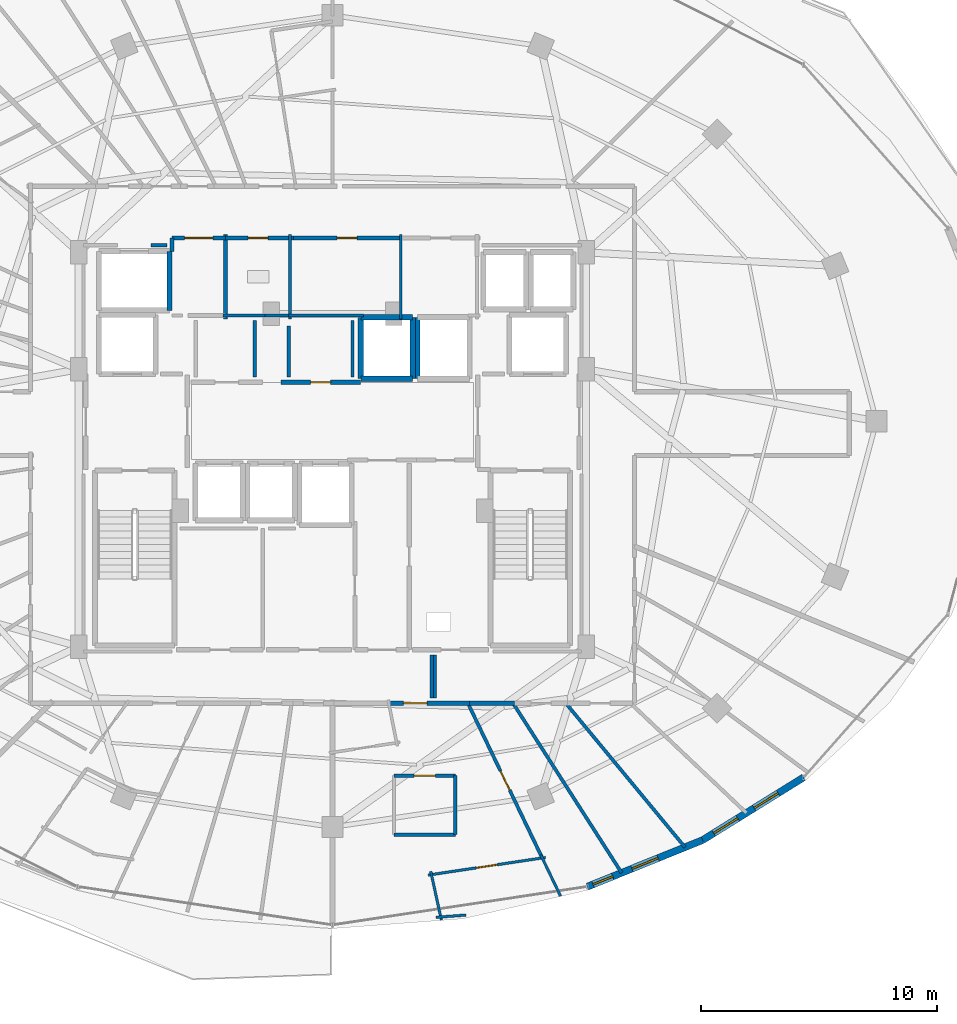
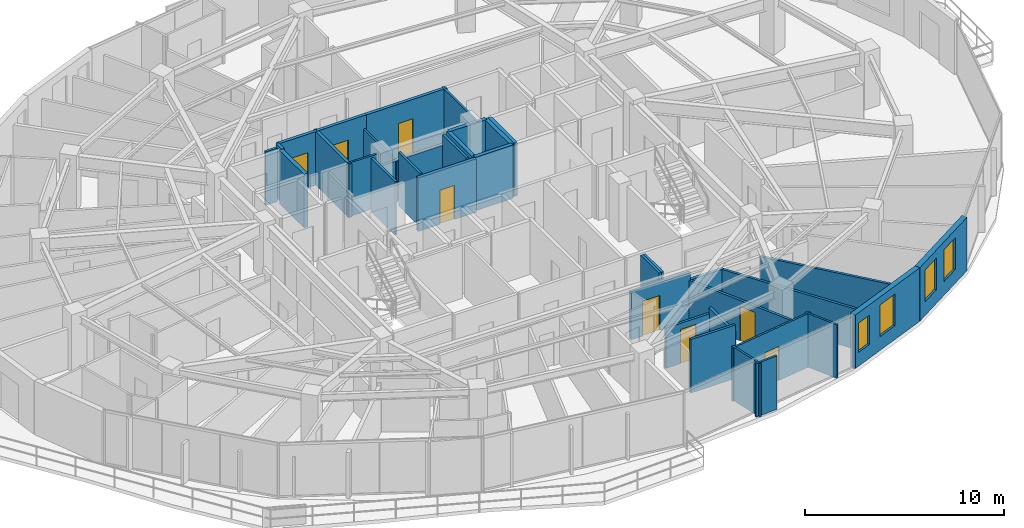
# One storey, part 27 of 33: 37 walls, 8 doors, 4 windows, 12 openings.
"""IFC4 building model written with IfcOpenShell, lengths in metres."""

from ifc_helpers import new_model, si_unit, direction, frame, frame_2d, origin, place, context, subcontext, project, spatial, rectangle, extrude, material, layer, layer_set, type_object, element, fill, save


model = new_model("IFC4")

# Units and contexts
model_context = context("Model", 3, precision=1e-05, world=origin(), true_north=direction((0.0, 1.0)))
body_context = subcontext(model_context, "Body", "Model", "MODEL_VIEW")
ifc_project = project(units=[si_unit("LENGTHUNIT", "METRE"), si_unit("AREAUNIT", "SQUARE_METRE"), si_unit("VOLUMEUNIT", "CUBIC_METRE"), si_unit("PLANEANGLEUNIT", "RADIAN"), si_unit("MASSUNIT", "GRAM", prefix="KILO")], contexts=[model_context])

# Site, building, storey
site_placement = place(None, origin())
site = spatial("IfcSite", under=ifc_project, at=site_placement, CompositionType="ELEMENT")
building_placement = place(site_placement, origin())
building = spatial("IfcBuilding", under=site, at=building_placement, Name="Vorneva Point Tower", CompositionType="ELEMENT")
storey_placement = place(building_placement, frame((0.0, 0.0, 200.10009765625)))
storey = spatial("IfcBuildingStorey", under=building, at=storey_placement, Name="L54", CompositionType="ELEMENT", Elevation=200.10009765625)

# Wall, openings, windows
ifc_material_1 = material(Name="Precast concrete B50 (C40/50)", Category="concrete")
ifc_layer_1 = layer(ifc_material_1, 0.300048828125)
ifc_layer_set_1 = layer_set([ifc_layer_1], Name="Precast concrete B50 (C40/50)")
wall_type_1 = type_object("IfcWallType", Name="WL-EXT-300", PredefinedType="STANDARD", material=ifc_layer_set_1)
wall_1_placement = place(storey_placement, frame((48.80322265625, 6.275146484375, 0.0), z_axis=(0.0, 0.0, 1.0), x_axis=(0.927111094334, 0.374786630981, 0.0)))
wall_1 = element("IfcWall", 1, at=wall_1_placement, inside=storey, type_object=wall_type_1, Name="L54 Pale-Metal Facade Spandrel Wall 14.1", PredefinedType="STANDARD", context=body_context, shape_type="SweptSolid", body=[
    extrude(rectangle(XDim=5.26416015625, YDim=0.300048828125, at=frame_2d((2.632080078125, 0.0))), origin(), (0.0, 0.0, 1.0), 3.289794921875),
])
opening_1_placement = place(wall_1_placement, frame((0.25830078125, 0.0, 0.85009765625)))
opening_1 = element("IfcOpeningElement", 2, at=opening_1_placement, cuts=wall_1, Name="Opening W-08", PredefinedType="OPENING", context=body_context, shape_type="SweptSolid", body=[
    extrude(rectangle(XDim=0.89990234375, YDim=1.800048828125, at=frame_2d((0.449951171875, 0.89990234375))), frame((0.0, 0.1650390625, 0.0), z_axis=(0.0, -1.0, 0.0), x_axis=(1.0, 0.0, 0.0)), (0.0, 0.0, 1.0), 0.329833984375),
])
opening_2_placement = place(wall_1_placement, frame((2.031982421875, 0.0, 0.85009765625)))
opening_2 = element("IfcOpeningElement", 3, at=opening_2_placement, cuts=wall_1, Name="Opening W-04", PredefinedType="OPENING", context=body_context, shape_type="SweptSolid", body=[
    extrude(rectangle(XDim=1.199951171875, YDim=1.949951171875, at=frame_2d((0.60009765625, 0.97509765625))), frame((0.0, 0.1650390625, 0.0), z_axis=(0.0, -1.0, 0.0), x_axis=(1.0, 0.0, 0.0)), (0.0, 0.0, 1.0), 0.329833984375),
])
ifc_material_2 = material(Name="Double low-e laminated glass IGU", Category="glass")
window_type_1 = type_object("IfcWindowType", Name="WN-CAS-900", PartitioningType="SINGLE_PANEL", PredefinedType="WINDOW", material=ifc_material_2)
window_1_placement = place(opening_1_placement, origin())
window_1 = element("IfcWindow", 4, at=window_1_placement, inside=storey, type_object=window_type_1, Name="L54 Dwelling Vision Window 04", OverallHeight=1.800048828125, OverallWidth=0.89990234375, PartitioningType="SINGLE_PANEL", PredefinedType="WINDOW", context=body_context, shape_type="SweptSolid", body=[
    extrude(rectangle(XDim=0.89990234375, YDim=1.800048828125, at=frame_2d((0.449951171875, 0.89990234375))), frame((0.0, 0.030029296875, 0.0), z_axis=(0.0, -1.0, 0.0), x_axis=(1.0, 0.0, 0.0)), (0.0, 0.0, 1.0), 0.06005859375),
])
fill(opening_1, window_1)
window_type_2 = type_object("IfcWindowType", Name="WN-RES-1200", PartitioningType="SINGLE_PANEL", PredefinedType="WINDOW", material=ifc_material_2)
window_2_placement = place(opening_2_placement, origin())
window_2 = element("IfcWindow", 5, at=window_2_placement, inside=storey, type_object=window_type_2, Name="L54 Dwelling Vision Window 05", OverallHeight=1.949951171875, OverallWidth=1.199951171875, PartitioningType="SINGLE_PANEL", PredefinedType="WINDOW", context=body_context, shape_type="SweptSolid", body=[
    extrude(rectangle(XDim=1.199951171875, YDim=1.949951171875, at=frame_2d((0.60009765625, 0.97509765625))), frame((0.0, 0.030029296875, 0.0), z_axis=(0.0, -1.0, 0.0), x_axis=(1.0, 0.0, 0.0)), (0.0, 0.0, 1.0), 0.06005859375),
])
fill(opening_2, window_2)

wall_2_placement = place(storey_placement, frame((53.68359375, 8.248046875, 0.0), z_axis=(0.0, 0.0, 1.0), x_axis=(0.849647657754, 0.527350791858, 0.0)))
wall_2 = element("IfcWall", 6, at=wall_2_placement, inside=storey, type_object=wall_type_1, Name="L54 Pale-Metal Facade Spandrel Wall 14.2", PredefinedType="STANDARD", context=body_context, shape_type="SweptSolid", body=[
    extrude(rectangle(XDim=5.03515625, YDim=0.300048828125, at=frame_2d((2.517578125, 0.0))), origin(), (0.0, 0.0, 1.0), 3.289794921875),
])
opening_3_placement = place(wall_2_placement, frame((0.5546875, 0.0, 0.85009765625)))
opening_3 = element("IfcOpeningElement", 7, at=opening_3_placement, cuts=wall_2, Name="Opening W-04", PredefinedType="OPENING", context=body_context, shape_type="SweptSolid", body=[
    extrude(rectangle(XDim=1.199951171875, YDim=1.949951171875, at=frame_2d((0.60009765625, 0.97509765625))), frame((0.0, 0.1650390625, 0.0), z_axis=(0.0, -1.0, 0.0), x_axis=(1.0, 0.0, 0.0)), (0.0, 0.0, 1.0), 0.329833984375),
])
opening_4_placement = place(wall_2_placement, frame((2.569091796875, 0.0, 0.85009765625)))
opening_4 = element("IfcOpeningElement", 8, at=opening_4_placement, cuts=wall_2, Name="Opening W-04", PredefinedType="OPENING", context=body_context, shape_type="SweptSolid", body=[
    extrude(rectangle(XDim=1.199951171875, YDim=1.949951171875, at=frame_2d((0.60009765625, 0.97509765625))), frame((0.0, 0.1650390625, 0.0), z_axis=(0.0, -1.0, 0.0), x_axis=(1.0, 0.0, 0.0)), (0.0, 0.0, 1.0), 0.329833984375),
])
window_3_placement = place(opening_3_placement, origin())
window_3 = element("IfcWindow", 9, at=window_3_placement, inside=storey, type_object=window_type_2, Name="L54 Dwelling Vision Window 06", OverallHeight=1.949951171875, OverallWidth=1.199951171875, PartitioningType="SINGLE_PANEL", PredefinedType="WINDOW", context=body_context, shape_type="SweptSolid", body=[
    extrude(rectangle(XDim=1.199951171875, YDim=1.949951171875, at=frame_2d((0.60009765625, 0.97509765625))), frame((0.0, 0.030029296875, 0.0), z_axis=(0.0, -1.0, 0.0), x_axis=(1.0, 0.0, 0.0)), (0.0, 0.0, 1.0), 0.06005859375),
])
fill(opening_3, window_3)
window_4_placement = place(opening_4_placement, origin())
window_4 = element("IfcWindow", 10, at=window_4_placement, inside=storey, type_object=window_type_2, Name="L54 Dwelling Vision Window 07", OverallHeight=1.949951171875, OverallWidth=1.199951171875, PartitioningType="SINGLE_PANEL", PredefinedType="WINDOW", context=body_context, shape_type="SweptSolid", body=[
    extrude(rectangle(XDim=1.199951171875, YDim=1.949951171875, at=frame_2d((0.60009765625, 0.97509765625))), frame((0.0, 0.030029296875, 0.0), z_axis=(0.0, -1.0, 0.0), x_axis=(1.0, 0.0, 0.0)), (0.0, 0.0, 1.0), 0.06005859375),
])
fill(opening_4, window_4)

# Walls
ifc_material_3 = material(Name="Fire-rated acoustic gypsum stud partition", Category="gypsum")
ifc_layer_2 = layer(ifc_material_3, 0.110107421875)
ifc_layer_set_2 = layer_set([ifc_layer_2], Name="Fire-rated acoustic gypsum stud partition")
wall_type_2 = type_object("IfcWallType", Name="WL-PART-110", PredefinedType="PARTITIONING", material=ifc_layer_set_2)
wall_3_placement = place(storey_placement, frame((36.199951171875, 30.340087890625, 0.0), z_axis=(0.0, 0.0, 1.0), x_axis=(0.0, 1.0, 0.0)))
element("IfcWall", 11, at=wall_3_placement, inside=storey, type_object=wall_type_2, Name="L54 Interior Partition 018", PredefinedType="PARTITIONING", context=body_context, shape_type="SweptSolid", body=[
    extrude(rectangle(XDim=3.559814453125, YDim=0.110107421875, at=frame_2d((1.77978515625, 0.0))), origin(), (0.0, 0.0, 1.0), 2.48193359375),
])
wall_4_placement = place(storey_placement, frame((33.360107421875, 30.47998046875, 0.0), z_axis=(0.0, 0.0, 1.0), x_axis=(1.0, 0.0, 0.0)))
element("IfcWall", 12, at=wall_4_placement, inside=storey, type_object=wall_type_2, Name="L54 Interior Partition 019", PredefinedType="PARTITIONING", context=body_context, shape_type="SweptSolid", body=[
    extrude(rectangle(XDim=1.809814453125, YDim=0.110107421875, at=frame_2d((0.90478515625, 0.0))), origin(), (0.0, 0.0, 1.0), 3.289794921875),
])
wall_5_placement = place(storey_placement, frame((40.89990234375, 30.340087890625, 0.0), z_axis=(0.0, 0.0, 1.0), x_axis=(0.0, 1.0, 0.0)))
element("IfcWall", 13, at=wall_5_placement, inside=storey, type_object=wall_type_2, Name="L54 Interior Partition 021", PredefinedType="PARTITIONING", context=body_context, shape_type="SweptSolid", body=[
    extrude(rectangle(XDim=3.559814453125, YDim=0.110107421875, at=frame_2d((1.77978515625, 0.0))), origin(), (0.0, 0.0, 1.0), 3.289794921875),
])
wall_6_placement = place(storey_placement, frame((36.110107421875, 30.47998046875, 0.0), z_axis=(0.0, 0.0, 1.0), x_axis=(1.0, 0.0, 0.0)))
element("IfcWall", 14, at=wall_6_placement, inside=storey, type_object=wall_type_2, Name="L54 Interior Partition 022", PredefinedType="PARTITIONING", context=body_context, shape_type="SweptSolid", body=[
    extrude(rectangle(XDim=3.2099609375, YDim=0.110107421875, at=frame_2d((1.60498046875, 0.0))), origin(), (0.0, 0.0, 1.0), 2.48193359375),
])
wall_7_placement = place(storey_placement, frame((42.614990234375, 4.856201171875, 0.0), z_axis=(0.0, 0.0, 1.0), x_axis=(-0.213521424511, 0.976938381514, 0.0)))
element("IfcWall", 15, at=wall_7_placement, inside=storey, type_object=wall_type_2, Name="L54 Interior Partition 136", PredefinedType="PARTITIONING", context=body_context, shape_type="SweptSolid", body=[
    extrude(rectangle(XDim=2.116455078125, YDim=0.110107421875, at=frame_2d((1.05810546875, 0.0))), origin(), (0.0, 0.0, 1.0), 3.289794921875),
])

# Wall, opening, door
wall_8_placement = place(storey_placement, frame((42.0546875, 6.76611328125, 0.0), z_axis=(0.0, 0.0, 1.0), x_axis=(0.988872134662, 0.148767944424, 0.0)))
wall_8 = element("IfcWall", 16, at=wall_8_placement, inside=storey, type_object=wall_type_2, Name="L54 Interior Partition 137", PredefinedType="PARTITIONING", context=body_context, shape_type="SweptSolid", body=[
    extrude(rectangle(XDim=5.026611328125, YDim=0.110107421875, at=frame_2d((2.51318359375, 0.0))), origin(), (0.0, 0.0, 1.0), 3.289794921875),
])
opening_5_placement = place(wall_8_placement, frame((2.0634765625, 0.0, 0.0)))
opening_5 = element("IfcOpeningElement", 17, at=opening_5_placement, cuts=wall_8, Name="Opening ID-01", PredefinedType="OPENING", context=body_context, shape_type="SweptSolid", body=[
    extrude(rectangle(XDim=0.89990234375, YDim=2.10009765625, at=frame_2d((0.449951171875, 1.050048828125))), frame((0.0, 0.06982421875, 0.0), z_axis=(0.0, -1.0, 0.0), x_axis=(1.0, 0.0, 0.0)), (0.0, 0.0, 1.0), 0.139892578125),
])
ifc_material_4 = material(Name="Engineered oak fire-rated door leaf", Category="wood")
door_type_1 = type_object("IfcDoorType", Name="DR-ROOM-900", OperationType="NOTDEFINED", PredefinedType="DOOR", material=ifc_material_4)
door_1_placement = place(opening_5_placement, origin())
door_1 = element("IfcDoor", 18, at=door_1_placement, inside=storey, type_object=door_type_1, Name="L54 Door Living and Dining Room L54-05 / Kitchen L54-05", OperationType="SINGLE_SWING_LEFT", OverallHeight=2.10009765625, OverallWidth=0.89990234375, PredefinedType="DOOR", context=body_context, shape_type="SweptSolid", body=[
    extrude(rectangle(XDim=0.89990234375, YDim=2.10009765625, at=frame_2d((0.449951171875, 1.050048828125))), frame((0.0, 0.02490234375, 0.0), z_axis=(0.0, -1.0, 0.0), x_axis=(1.0, 0.0, 0.0)), (0.0, 0.0, 1.0), 0.050048828125),
])
fill(opening_5, door_1)

# Walls
wall_9_placement = place(storey_placement, frame((42.385498046875, 4.9775390625, 0.0), z_axis=(0.0, 0.0, 1.0), x_axis=(0.997207179737, 0.074684942803, 0.0)))
element("IfcWall", 19, at=wall_9_placement, inside=storey, type_object=wall_type_2, Name="L54 Interior Partition 138", PredefinedType="PARTITIONING", context=body_context, shape_type="SweptSolid", body=[
    extrude(rectangle(XDim=1.271728515625, YDim=0.110107421875, at=frame_2d((0.6357421875, 0.0))), origin(), (0.0, 0.0, 1.0), 3.289794921875),
])
wall_10_placement = place(storey_placement, frame((47.66357421875, 5.875732421875, 0.0), z_axis=(0.0, 0.0, 1.0), x_axis=(-0.432866492457, 0.901458041014, 0.0)))
element("IfcWall", 20, at=wall_10_placement, inside=storey, type_object=wall_type_2, Name="L54 Interior Partition 144", PredefinedType="PARTITIONING", context=body_context, shape_type="SweptSolid", body=[
    extrude(rectangle(XDim=1.93408203125, YDim=0.110107421875, at=frame_2d((0.967041015625, 0.0))), origin(), (0.0, 0.0, 1.0), 3.289794921875),
])

# Wall, opening, door
ifc_layer_3 = layer(ifc_material_3, 0.139892578125)
ifc_layer_set_3 = layer_set([ifc_layer_3], Name="Fire-rated acoustic gypsum stud partition")
wall_type_3 = type_object("IfcWallType", Name="WL-PART-140", PredefinedType="PARTITIONING", material=ifc_layer_set_3)
wall_11_placement = place(storey_placement, frame((43.20703125, 10.97900390625, 0.0), z_axis=(0.0, 0.0, 1.0), x_axis=(-1.0, 0.0, 0.0)))
wall_11 = element("IfcWall", 21, at=wall_11_placement, inside=storey, type_object=wall_type_3, Name="L54 Interior Partition 139", PredefinedType="PARTITIONING", context=body_context, shape_type="SweptSolid", body=[
    extrude(rectangle(XDim=2.60009765625, YDim=0.139892578125, at=frame_2d((1.300048828125, 0.0))), origin(), (0.0, 0.0, 1.0), 2.48193359375),
])
opening_6_placement = place(wall_11_placement, frame((0.85009765625, 0.0, 0.0)))
opening_6 = element("IfcOpeningElement", 22, at=opening_6_placement, cuts=wall_11, Name="Opening ID-01", PredefinedType="OPENING", context=body_context, shape_type="SweptSolid", body=[
    extrude(rectangle(XDim=0.89990234375, YDim=2.10009765625, at=frame_2d((0.449951171875, 1.050048828125))), frame((0.0, 0.0849609375, 0.0), z_axis=(0.0, -1.0, 0.0), x_axis=(1.0, 0.0, 0.0)), (0.0, 0.0, 1.0), 0.169677734375),
])
door_2_placement = place(opening_6_placement, origin())
door_2 = element("IfcDoor", 23, at=door_2_placement, inside=storey, type_object=door_type_1, Name="L54 Door Living and Dining Room L54-05 / Study Room L54-05", OperationType="SINGLE_SWING_RIGHT", OverallHeight=2.10009765625, OverallWidth=0.89990234375, PredefinedType="DOOR", context=body_context, shape_type="SweptSolid", body=[
    extrude(rectangle(XDim=0.89990234375, YDim=2.10009765625, at=frame_2d((0.449951171875, 1.050048828125))), frame((0.0, 0.02490234375, 0.0), z_axis=(0.0, -1.0, 0.0), x_axis=(1.0, 0.0, 0.0)), (0.0, 0.0, 1.0), 0.050048828125),
])
fill(opening_6, door_2)

# Walls
wall_12_placement = place(storey_placement, frame((40.60693359375, 8.47900390625, 0.0), z_axis=(0.0, 0.0, 1.0), x_axis=(1.0, 0.0, 0.0)))
element("IfcWall", 24, at=wall_12_placement, inside=storey, type_object=wall_type_3, Name="L54 Interior Partition 141", PredefinedType="PARTITIONING", context=body_context, shape_type="SweptSolid", body=[
    extrude(rectangle(XDim=2.60009765625, YDim=0.139892578125, at=frame_2d((1.300048828125, 0.0))), origin(), (0.0, 0.0, 1.0), 3.289794921875),
])
wall_13_placement = place(storey_placement, frame((43.20703125, 8.47900390625, 0.0), z_axis=(0.0, 0.0, 1.0), x_axis=(0.0, 1.0, 0.0)))
element("IfcWall", 25, at=wall_13_placement, inside=storey, type_object=wall_type_3, Name="L54 Interior Partition 142", PredefinedType="PARTITIONING", context=body_context, shape_type="SweptSolid", body=[
    extrude(rectangle(XDim=2.5, YDim=0.139892578125, at=frame_2d((1.25, 0.0))), origin(), (0.0, 0.0, 1.0), 2.823974609375),
])

# Wall, opening, door
wall_14_placement = place(storey_placement, frame((46.886962890625, 7.492919921875, 0.0), z_axis=(0.0, 0.0, 1.0), x_axis=(-0.43289909466, 0.901442385204, 0.0)))
wall_14 = element("IfcWall", 26, at=wall_14_placement, inside=storey, type_object=wall_type_3, Name="L54 Interior Partition 143", PredefinedType="PARTITIONING", context=body_context, shape_type="SweptSolid", body=[
    extrude(rectangle(XDim=7.27392578125, YDim=0.139892578125, at=frame_2d((3.636962890625, 0.0))), origin(), (0.0, 0.0, 1.0), 2.48193359375),
])
opening_7_placement = place(wall_14_placement, frame((3.18701171875, 0.0, 0.0)))
opening_7 = element("IfcOpeningElement", 27, at=opening_7_placement, cuts=wall_14, Name="Opening ID-01", PredefinedType="OPENING", context=body_context, shape_type="SweptSolid", body=[
    extrude(rectangle(XDim=0.89990234375, YDim=2.10009765625, at=frame_2d((0.449951171875, 1.050048828125))), frame((0.0, 0.0849609375, 0.0), z_axis=(0.0, -1.0, 0.0), x_axis=(1.0, 0.0, 0.0)), (0.0, 0.0, 1.0), 0.169677734375),
])
door_3_placement = place(opening_7_placement, origin())
door_3 = element("IfcDoor", 28, at=door_3_placement, inside=storey, type_object=door_type_1, Name="L54 Door Living and Dining Room L54-05 / Master Bedroom L54-05.1", OperationType="SINGLE_SWING_RIGHT", OverallHeight=2.10009765625, OverallWidth=0.89990234375, PredefinedType="DOOR", context=body_context, shape_type="SweptSolid", body=[
    extrude(rectangle(XDim=0.89990234375, YDim=2.10009765625, at=frame_2d((0.449951171875, 1.050048828125))), frame((0.0, 0.02490234375, 0.0), z_axis=(0.0, -1.0, 0.0), x_axis=(1.0, 0.0, 0.0)), (0.0, 0.0, 1.0), 0.050048828125),
])
fill(opening_7, door_3)

# Walls
wall_15_placement = place(storey_placement, frame((50.2509765625, 6.862060546875, 0.0), z_axis=(0.0, 0.0, 1.0), x_axis=(-0.539117012224, 0.842230875194, 0.0)))
element("IfcWall", 29, at=wall_15_placement, inside=storey, type_object=wall_type_3, Name="L54 Interior Partition 145", PredefinedType="PARTITIONING", context=body_context, shape_type="SweptSolid", body=[
    extrude(rectangle(XDim=8.534423828125, YDim=0.139892578125, at=frame_2d((4.26708984375, 0.0))), origin(), (0.0, 0.0, 1.0), 2.48193359375),
])
wall_16_placement = place(storey_placement, frame((52.93408203125, 7.947998046875, 0.0), z_axis=(0.0, 0.0, 1.0), x_axis=(-0.637427009283, 0.77051074479, 0.0)))
element("IfcWall", 30, at=wall_16_placement, inside=storey, type_object=wall_type_3, Name="L54 Interior Partition 146", PredefinedType="PARTITIONING", context=body_context, shape_type="SweptSolid", body=[
    extrude(rectangle(XDim=7.91943359375, YDim=0.139892578125, at=frame_2d((3.959716796875, 0.0))), origin(), (0.0, 0.0, 1.0), 2.48193359375),
])
wall_17_placement = place(storey_placement, frame((35.139892578125, 30.47998046875, 0.0), z_axis=(0.0, 0.0, 1.0), x_axis=(1.0, 0.0, 0.0)))
element("IfcWall", 31, at=wall_17_placement, inside=storey, type_object=wall_type_3, Name="L54 Interior Closure Partition 155", PredefinedType="PARTITIONING", context=body_context, shape_type="SweptSolid", body=[
    extrude(rectangle(XDim=1.0, YDim=0.139892578125, at=frame_2d((0.5, 0.0))), origin(), (0.0, 0.0, 1.0), 2.48193359375),
])
wall_18_placement = place(storey_placement, frame((34.699951171875, 27.8701171875, 0.0), z_axis=(0.0, 0.0, 1.0), x_axis=(0.0, 1.0, 0.0)))
element("IfcWall", 32, at=wall_18_placement, inside=storey, type_object=wall_type_3, Name="L54 Interior Closure Partition 161", PredefinedType="PARTITIONING", context=body_context, shape_type="SweptSolid", body=[
    extrude(rectangle(XDim=2.389892578125, YDim=0.139892578125, at=frame_2d((1.19482421875, 0.0))), origin(), (0.0, 0.0, 1.0), 3.289794921875),
])
wall_19_placement = place(storey_placement, frame((36.14990234375, 30.030029296875, 0.0), z_axis=(0.0, 0.0, 1.0), x_axis=(0.0, -1.0, 0.0)))
element("IfcWall", 33, at=wall_19_placement, inside=storey, type_object=wall_type_3, Name="L54 Interior Closure Partition 162", PredefinedType="PARTITIONING", context=body_context, shape_type="SweptSolid", body=[
    extrude(rectangle(XDim=2.159912109375, YDim=0.139892578125, at=frame_2d((1.080078125, 0.0))), origin(), (0.0, 0.0, 1.0), 3.289794921875),
])
wall_20_placement = place(storey_placement, frame((38.85009765625, 27.8701171875, 0.0), z_axis=(0.0, 0.0, 1.0), x_axis=(0.0, 1.0, 0.0)))
element("IfcWall", 34, at=wall_20_placement, inside=storey, type_object=wall_type_3, Name="L54 Interior Closure Partition 163", PredefinedType="PARTITIONING", context=body_context, shape_type="SweptSolid", body=[
    extrude(rectangle(XDim=2.389892578125, YDim=0.139892578125, at=frame_2d((1.19482421875, 0.0))), origin(), (0.0, 0.0, 1.0), 3.289794921875),
])
wall_21_placement = place(storey_placement, frame((30.97998046875, 33.449951171875, 0.0), z_axis=(0.0, 0.0, 1.0), x_axis=(-1.0, 0.0, 0.0)))
element("IfcWall", 35, at=wall_21_placement, inside=storey, type_object=wall_type_3, Name="L54 Interior Closure Partition 168", PredefinedType="PARTITIONING", context=body_context, shape_type="SweptSolid", body=[
    extrude(rectangle(XDim=0.674072265625, YDim=0.139892578125, at=frame_2d((0.3369140625, 0.0))), origin(), (0.0, 0.0, 1.0), 3.289794921875),
])
for number, where, z_axis, x_axis, name in (
    (36, (42.199951171875, 16.10009765625, 0.0), (0.0, 0.0, 1.0), (0.0, -1.0, 0.0), "L54 Interior Closure Partition 173"),
    (37, (42.340087890625, 14.27001953125, 0.0), (0.0, 0.0, 1.0), (0.0, 1.0, 0.0), "L54 Interior Closure Partition 174"),
):
    element("IfcWall", number, at=place(storey_placement, frame(where, z_axis=z_axis, x_axis=x_axis)), inside=storey, type_object=wall_type_3, Name=name, PredefinedType="PARTITIONING", context=body_context, shape_type="SweptSolid", body=[
        extrude(rectangle(XDim=1.830078125, YDim=0.139892578125, at=frame_2d((0.9150390625, 0.0))), origin(), (0.0, 0.0, 1.0), 3.289794921875),
    ])
ifc_material_5 = material(Name="Autoclaved aerated concrete blockwork", Category="masonry")
ifc_layer_4 = layer(ifc_material_5, 0.179931640625)
ifc_layer_set_4 = layer_set([ifc_layer_4], Name="Autoclaved aerated concrete blockwork")
wall_type_4 = type_object("IfcWallType", Name="WL-PART-180", PredefinedType="PARTITIONING", material=ifc_layer_set_4)
wall_22_placement = place(storey_placement, frame((33.469970703125, 30.340087890625, 0.0), z_axis=(0.0, 0.0, 1.0), x_axis=(0.0, 1.0, 0.0)))
element("IfcWall", 38, at=wall_22_placement, inside=storey, type_object=wall_type_4, Name="L54 Interior Partition 006", PredefinedType="PARTITIONING", context=body_context, shape_type="SweptSolid", body=[
    extrude(rectangle(XDim=3.559814453125, YDim=0.179931640625, at=frame_2d((1.77978515625, 0.0))), origin(), (0.0, 0.0, 1.0), 3.289794921875),
])

# Wall, opening, door
wall_23_placement = place(storey_placement, frame((33.469970703125, 33.760009765625, 0.0), z_axis=(0.0, 0.0, 1.0), x_axis=(-1.0, 0.0, 0.0)))
wall_23 = element("IfcWall", 39, at=wall_23_placement, inside=storey, type_object=wall_type_4, Name="L54 Interior Partition 008", PredefinedType="PARTITIONING", context=body_context, shape_type="SweptSolid", body=[
    extrude(rectangle(XDim=2.27001953125, YDim=0.179931640625, at=frame_2d((1.135009765625, 0.0))), origin(), (0.0, 0.0, 1.0), 3.289794921875),
])
opening_8_placement = place(wall_23_placement, frame((0.534912109375, 0.0, 0.0)))
opening_8 = element("IfcOpeningElement", 40, at=opening_8_placement, cuts=wall_23, Name="Opening FD-02", PredefinedType="OPENING", context=body_context, shape_type="SweptSolid", body=[
    extrude(rectangle(XDim=1.199951171875, YDim=2.14990234375, at=frame_2d((0.60009765625, 1.074951171875))), frame((0.0, 0.10498046875, 0.0), z_axis=(0.0, -1.0, 0.0), x_axis=(1.0, 0.0, 0.0)), (0.0, 0.0, 1.0), 0.209716796875),
])
ifc_material_6 = material(Name="Fire-rated powder-coated steel", Category="steel")
door_type_2 = type_object("IfcDoorType", Name="DR-FFL-1200", OperationType="NOTDEFINED", PredefinedType="DOOR", material=ifc_material_6)
door_4_placement = place(opening_8_placement, origin())
door_4 = element("IfcDoor", 41, at=door_4_placement, inside=storey, type_object=door_type_2, Name="L54 Door Service Lift Lobby / L54 Circulation Corridor", OperationType="SINGLE_SWING_RIGHT", OverallHeight=2.14990234375, OverallWidth=1.199951171875, PredefinedType="DOOR", context=body_context, shape_type="SweptSolid", body=[
    extrude(rectangle(XDim=1.199951171875, YDim=2.14990234375, at=frame_2d((0.60009765625, 1.074951171875))), frame((0.0, 0.02490234375, 0.0), z_axis=(0.0, -1.0, 0.0), x_axis=(1.0, 0.0, 0.0)), (0.0, 0.0, 1.0), 0.050048828125),
])
fill(opening_8, door_4)

# Wall
wall_24_placement = place(storey_placement, frame((31.199951171875, 33.760009765625, 0.0), z_axis=(0.0, 0.0, 1.0), x_axis=(0.0, -1.0, 0.0)))
element("IfcWall", 42, at=wall_24_placement, inside=storey, type_object=wall_type_4, Name="L54 Interior Partition 009", PredefinedType="PARTITIONING", context=body_context, shape_type="SweptSolid", body=[
    extrude(rectangle(XDim=0.56005859375, YDim=0.179931640625, at=frame_2d((0.280029296875, 0.0))), origin(), (0.0, 0.0, 1.0), 3.289794921875),
])

# Wall, opening, door
wall_25_placement = place(storey_placement, frame((39.18994140625, 27.64990234375, 0.0), z_axis=(0.0, 0.0, 1.0), x_axis=(-1.0, 0.0, 0.0)))
wall_25 = element("IfcWall", 43, at=wall_25_placement, inside=storey, type_object=wall_type_4, Name="L54 Interior Partition 013", PredefinedType="PARTITIONING", context=body_context, shape_type="SweptSolid", body=[
    extrude(rectangle(XDim=3.3798828125, YDim=0.179931640625, at=frame_2d((1.68994140625, 0.0))), origin(), (0.0, 0.0, 1.0), 3.289794921875),
])
opening_9_placement = place(wall_25_placement, frame((1.264892578125, 0.0, 0.0)))
opening_9 = element("IfcOpeningElement", 44, at=opening_9_placement, cuts=wall_25, Name="Opening ID-02", PredefinedType="OPENING", context=body_context, shape_type="SweptSolid", body=[
    extrude(rectangle(XDim=0.85009765625, YDim=2.10009765625, at=frame_2d((0.425048828125, 1.050048828125))), frame((0.0, 0.10498046875, 0.0), z_axis=(0.0, -1.0, 0.0), x_axis=(1.0, 0.0, 0.0)), (0.0, 0.0, 1.0), 0.209716796875),
])
door_type_3 = type_object("IfcDoorType", Name="DR-BATH-850", OperationType="NOTDEFINED", PredefinedType="DOOR", material=ifc_material_4)
door_5_placement = place(opening_9_placement, origin())
door_5 = element("IfcDoor", 45, at=door_5_placement, inside=storey, type_object=door_type_3, Name="L54 Door Central Lift Lobby / Reclaimed Core Archive Store", OperationType="SINGLE_SWING_RIGHT", OverallHeight=2.10009765625, OverallWidth=0.85009765625, PredefinedType="DOOR", context=body_context, shape_type="SweptSolid", body=[
    extrude(rectangle(XDim=0.85009765625, YDim=2.10009765625, at=frame_2d((0.425048828125, 1.050048828125))), frame((0.0, 0.02490234375, 0.0), z_axis=(0.0, -1.0, 0.0), x_axis=(1.0, 0.0, 0.0)), (0.0, 0.0, 1.0), 0.050048828125),
])
fill(opening_9, door_5)

wall_26_placement = place(storey_placement, frame((36.340087890625, 33.760009765625, 0.0), z_axis=(0.0, 0.0, 1.0), x_axis=(-1.0, 0.0, 0.0)))
wall_26 = element("IfcWall", 46, at=wall_26_placement, inside=storey, type_object=wall_type_4, Name="L54 Interior Partition 020", PredefinedType="PARTITIONING", context=body_context, shape_type="SweptSolid", body=[
    extrude(rectangle(XDim=2.97998046875, YDim=0.179931640625, at=frame_2d((1.489990234375, 0.0))), origin(), (0.0, 0.0, 1.0), 3.289794921875),
])
opening_10_placement = place(wall_26_placement, frame((1.06494140625, 0.0, 0.0)))
opening_10 = element("IfcOpeningElement", 47, at=opening_10_placement, cuts=wall_26, Name="Opening ID-02", PredefinedType="OPENING", context=body_context, shape_type="SweptSolid", body=[
    extrude(rectangle(XDim=0.85009765625, YDim=2.10009765625, at=frame_2d((0.425048828125, 1.050048828125))), frame((0.0, 0.10498046875, 0.0), z_axis=(0.0, -1.0, 0.0), x_axis=(1.0, 0.0, 0.0)), (0.0, 0.0, 1.0), 0.209716796875),
])
door_6_placement = place(opening_10_placement, origin())
door_6 = element("IfcDoor", 48, at=door_6_placement, inside=storey, type_object=door_type_3, Name="L54 Door Public Male WC / L54 Circulation Corridor", OperationType="SINGLE_SWING_LEFT", OverallHeight=2.10009765625, OverallWidth=0.85009765625, PredefinedType="DOOR", context=body_context, shape_type="SweptSolid", body=[
    extrude(rectangle(XDim=0.85009765625, YDim=2.10009765625, at=frame_2d((0.425048828125, 1.050048828125))), frame((0.0, 0.02490234375, 0.0), z_axis=(0.0, -1.0, 0.0), x_axis=(1.0, 0.0, 0.0)), (0.0, 0.0, 1.0), 0.050048828125),
])
fill(opening_10, door_6)

wall_27_placement = place(storey_placement, frame((41.0400390625, 33.760009765625, 0.0), z_axis=(0.0, 0.0, 1.0), x_axis=(-1.0, 0.0, 0.0)))
wall_27 = element("IfcWall", 49, at=wall_27_placement, inside=storey, type_object=wall_type_4, Name="L54 Interior Partition 023", PredefinedType="PARTITIONING", context=body_context, shape_type="SweptSolid", body=[
    extrude(rectangle(XDim=4.840087890625, YDim=0.179931640625, at=frame_2d((2.419921875, 0.0))), origin(), (0.0, 0.0, 1.0), 3.289794921875),
])
opening_11_placement = place(wall_27_placement, frame((1.9951171875, 0.0, 0.0)))
opening_11 = element("IfcOpeningElement", 50, at=opening_11_placement, cuts=wall_27, Name="Opening ID-02", PredefinedType="OPENING", context=body_context, shape_type="SweptSolid", body=[
    extrude(rectangle(XDim=0.85009765625, YDim=2.10009765625, at=frame_2d((0.425048828125, 1.050048828125))), frame((0.0, 0.10498046875, 0.0), z_axis=(0.0, -1.0, 0.0), x_axis=(1.0, 0.0, 0.0)), (0.0, 0.0, 1.0), 0.209716796875),
])
door_7_placement = place(opening_11_placement, origin())
door_7 = element("IfcDoor", 51, at=door_7_placement, inside=storey, type_object=door_type_3, Name="L54 Door Public Female WC / L54 Circulation Corridor", OperationType="SINGLE_SWING_RIGHT", OverallHeight=2.10009765625, OverallWidth=0.85009765625, PredefinedType="DOOR", context=body_context, shape_type="SweptSolid", body=[
    extrude(rectangle(XDim=0.85009765625, YDim=2.10009765625, at=frame_2d((0.425048828125, 1.050048828125))), frame((0.0, 0.02490234375, 0.0), z_axis=(0.0, -1.0, 0.0), x_axis=(1.0, 0.0, 0.0)), (0.0, 0.0, 1.0), 0.050048828125),
])
fill(opening_11, door_7)

wall_28_placement = place(storey_placement, frame((40.324951171875, 14.050048828125, 0.0), z_axis=(0.0, 0.0, 1.0), x_axis=(1.0, 0.0, 0.0)))
wall_28 = element("IfcWall", 52, at=wall_28_placement, inside=storey, type_object=wall_type_4, Name="L54 Interior Partition 060", PredefinedType="PARTITIONING", context=body_context, shape_type="SweptSolid", body=[
    extrude(rectangle(XDim=3.47998046875, YDim=0.179931640625, at=frame_2d((1.739990234375, 0.0))), origin(), (0.0, 0.0, 1.0), 2.935791015625),
])
opening_12_placement = place(wall_28_placement, frame((0.679931640625, 0.0, 0.0)))
opening_12 = element("IfcOpeningElement", 53, at=opening_12_placement, cuts=wall_28, Name="Opening UD-01", PredefinedType="OPENING", context=body_context, shape_type="SweptSolid", body=[
    extrude(rectangle(XDim=1.0, YDim=2.14990234375, at=frame_2d((0.5, 1.074951171875))), frame((0.0, 0.10498046875, 0.0), z_axis=(0.0, -1.0, 0.0), x_axis=(1.0, 0.0, 0.0)), (0.0, 0.0, 1.0), 0.209716796875),
])
door_type_4 = type_object("IfcDoorType", Name="DR-UNIT-1000", OperationType="NOTDEFINED", PredefinedType="DOOR", material=ifc_material_4)
door_8_placement = place(opening_12_placement, origin())
door_8 = element("IfcDoor", 54, at=door_8_placement, inside=storey, type_object=door_type_4, Name="L54 Door L54 Circulation Corridor / Living and Dining Room L54-05", OperationType="SINGLE_SWING_RIGHT", OverallHeight=2.14990234375, OverallWidth=1.0, PredefinedType="DOOR", context=body_context, shape_type="SweptSolid", body=[
    extrude(rectangle(XDim=1.0, YDim=2.14990234375, at=frame_2d((0.5, 1.074951171875))), frame((0.0, 0.02490234375, 0.0), z_axis=(0.0, -1.0, 0.0), x_axis=(1.0, 0.0, 0.0)), (0.0, 0.0, 1.0), 0.050048828125),
])
fill(opening_12, door_8)

# Walls
wall_29_placement = place(storey_placement, frame((43.804931640625, 14.050048828125, 0.0), z_axis=(0.0, 0.0, 1.0), x_axis=(1.0, 0.0, 0.0)))
element("IfcWall", 55, at=wall_29_placement, inside=storey, type_object=wall_type_4, Name="L54 Interior Partition 062", PredefinedType="PARTITIONING", context=body_context, shape_type="SweptSolid", body=[
    extrude(rectangle(XDim=1.916015625, YDim=0.179931640625, at=frame_2d((0.9580078125, 0.0))), origin(), (0.0, 0.0, 1.0), 2.48193359375),
])
ifc_material_7 = material(Name="Concrete B50 (C40/50)", Category="concrete")
ifc_layer_5 = layer(ifc_material_7, 0.219970703125)
ifc_layer_set_5 = layer_set([ifc_layer_5], Name="Concrete B50 (C40/50)")
wall_type_5 = type_object("IfcWallType", Name="WL-SHFT-220", PredefinedType="SOLIDWALL", material=ifc_layer_set_5)
wall_30_placement = place(storey_placement, frame((39.199951171875, 27.800048828125, 0.0), z_axis=(0.0, 0.0, 1.0), x_axis=(1.0, 0.0, 0.0)))
element("IfcWall", 56, at=wall_30_placement, inside=storey, type_object=wall_type_5, Name="L54 Lift PL7 Shaft Wall -Y", PredefinedType="SOLIDWALL", context=body_context, shape_type="SweptSolid", body=[
    extrude(rectangle(XDim=2.199951171875, YDim=0.219970703125, at=frame_2d((1.10009765625, 0.0))), origin(), (0.0, 0.0, 1.0), 3.289794921875),
])
wall_31_placement = place(storey_placement, frame((41.39990234375, 27.800048828125, 0.0), z_axis=(0.0, 0.0, 1.0), x_axis=(0.0, 1.0, 0.0)))
element("IfcWall", 57, at=wall_31_placement, inside=storey, type_object=wall_type_5, Name="L54 Lift PL7 Shaft Wall +X", PredefinedType="SOLIDWALL", context=body_context, shape_type="SweptSolid", body=[
    extrude(rectangle(XDim=2.599853515625, YDim=0.219970703125, at=frame_2d((1.2998046875, 0.0))), origin(), (0.0, 0.0, 1.0), 3.289794921875),
])
wall_32_placement = place(storey_placement, frame((41.39990234375, 30.39990234375, 0.0), z_axis=(0.0, 0.0, 1.0), x_axis=(-1.0, 0.0, 0.0)))
element("IfcWall", 58, at=wall_32_placement, inside=storey, type_object=wall_type_5, Name="L54 Lift PL7 Shaft Wall +Y", PredefinedType="SOLIDWALL", context=body_context, shape_type="SweptSolid", body=[
    extrude(rectangle(XDim=2.199951171875, YDim=0.219970703125, at=frame_2d((1.10009765625, 0.0))), origin(), (0.0, 0.0, 1.0), 3.289794921875),
])
for number, where, z_axis, x_axis, name in (
    (59, (39.199951171875, 30.39990234375, 0.0), (0.0, 0.0, 1.0), (0.0, -1.0, 0.0), "L54 Lift PL7 Shaft Wall -X"),
    (60, (41.60009765625, 30.39990234375, 0.0), (0.0, 0.0, 1.0), (0.0, -1.0, 0.0), "L54 Lift PL8 Shaft Wall -X"),
):
    element("IfcWall", number, at=place(storey_placement, frame(where, z_axis=z_axis, x_axis=x_axis)), inside=storey, type_object=wall_type_5, Name=name, PredefinedType="SOLIDWALL", context=body_context, shape_type="SweptSolid", body=[
        extrude(rectangle(XDim=2.599853515625, YDim=0.219970703125, at=frame_2d((1.2998046875, 0.0))), origin(), (0.0, 0.0, 1.0), 3.289794921875),
    ])
wall_33_placement = place(storey_placement, frame((31.10009765625, 30.699951171875, 0.0), z_axis=(0.0, 0.0, 1.0), x_axis=(0.0, 1.0, 0.0)))
element("IfcWall", 61, at=wall_33_placement, inside=storey, type_object=wall_type_5, Name="L54 Lift SVL1 Shaft Wall +X", PredefinedType="SOLIDWALL", context=body_context, shape_type="SweptSolid", body=[
    extrude(rectangle(XDim=2.5, YDim=0.219970703125, at=frame_2d((1.25, 0.0))), origin(), (0.0, 0.0, 1.0), 3.289794921875),
])

save(model, "model.ifc")
